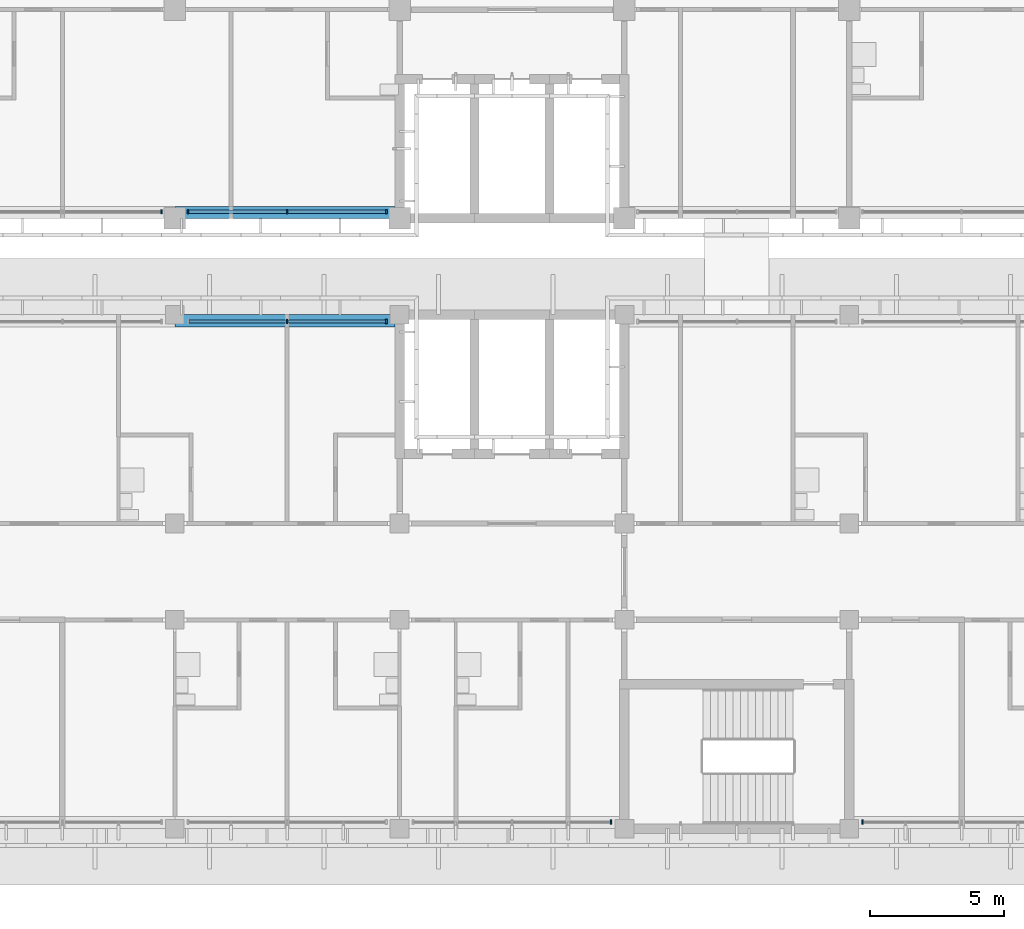
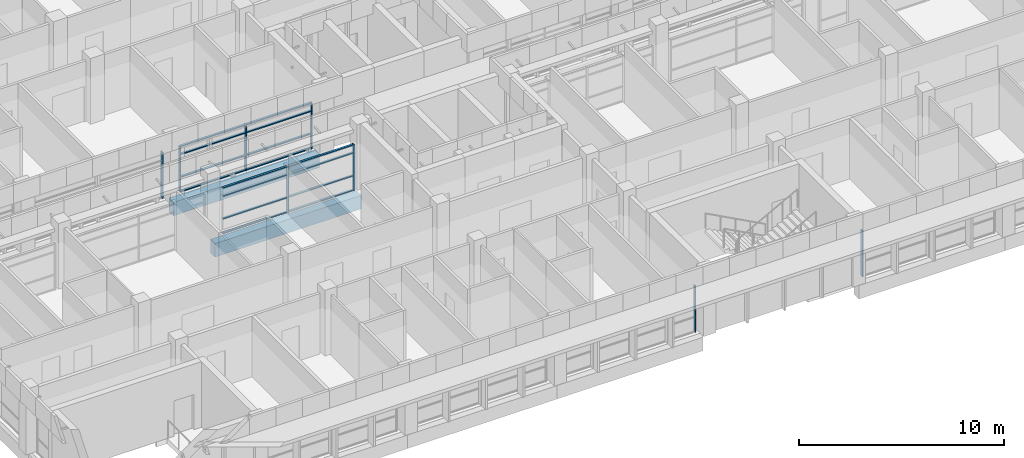
# One storey, part 5 of 71: 24 members, 2 beams, 5 elements without a shape of their own.
"""IFC4 building model written with IfcOpenShell, lengths in metres."""

from ifc_helpers import new_model, si_unit, direction, frame, origin, origin_2d, place, context, subcontext, project, spatial, rectangle, extrude, material, material_profile, profile_set, type_object, element, aggregate, save


model = new_model("IFC4")

# Units and contexts
model_context = context("Model", 3, precision=1e-05, world=origin(), true_north=direction((0.0, 1.0)))
body_context = subcontext(model_context, "Body", "Model", "MODEL_VIEW")
ifc_project = project(units=[si_unit("LENGTHUNIT", "METRE"), si_unit("AREAUNIT", "SQUARE_METRE"), si_unit("VOLUMEUNIT", "CUBIC_METRE"), si_unit("PLANEANGLEUNIT", "RADIAN"), si_unit("MASSUNIT", "GRAM", prefix="KILO")], contexts=[model_context])

# Site, building, storey
site_placement = place(None, origin())
site = spatial("IfcSite", under=ifc_project, at=site_placement, CompositionType="ELEMENT")
building_placement = place(site_placement, origin())
building = spatial("IfcBuilding", under=site, at=building_placement, Name="Bougainvillea Quay General Hospital", CompositionType="ELEMENT")
storey_placement = place(building_placement, frame((0.0, 0.0, 24.89990234375)))
storey = spatial("IfcBuildingStorey", under=building, at=storey_placement, Name="L05", CompositionType="ELEMENT", Elevation=24.89990234375)

# Curtain wall, member
ifc_material_1 = material(Name="Aluminium curtain wall system, powder-coated glazed", Category="aluminium")
curtain_wall_type = type_object("IfcCurtainWallType", Name="Unitised curtain wall CW-3730", PredefinedType="NOTDEFINED", material=ifc_material_1)
curtain_wall_1_placement = place(storey_placement, origin())
curtain_wall_1 = element("IfcCurtainWall", 1, at=curtain_wall_1_placement, inside=storey, type_object=curtain_wall_type, Name="CW-4200 01", PredefinedType="NOTDEFINED")
ifc_material_2 = material(Name="Aluminium mullion, powder-coated charcoal", Category="aluminium")
ifc_material_profile_1 = material_profile(ifc_material_2, rectangle(XDim=0.159912109375, YDim=0.06005859375, at=origin_2d()))
ifc_profile_set_1 = profile_set([ifc_material_profile_1], Name="Aluminium mullion, powder-coated charcoal")
member_type_1 = type_object("IfcMemberType", Name="Curtain wall mullion 160x60", PredefinedType="MULLION", material=ifc_profile_set_1)
member_1_placement = place(storey_placement, frame((58.300048828125, 140.64990234375, 0.0), z_axis=(0.0, 0.0, 1.0), x_axis=(0.0, 1.0, 0.0)))
member_1 = element("IfcMember", 2, at=member_1_placement, type_object=member_type_1, Name="CW-4200 mullion 3", PredefinedType="MULLION", context=body_context, shape_type="SweptSolid", body=[
    extrude(rectangle(XDim=0.159912109375, YDim=0.06005859375, at=origin_2d()), origin(), (0.0, 0.0, 1.0), 2.75),
])
aggregate(curtain_wall_1, [member_1])

# Curtain wall, members
curtain_wall_2_placement = place(storey_placement, origin())
curtain_wall_2 = element("IfcCurtainWall", 3, at=curtain_wall_2_placement, inside=storey, type_object=curtain_wall_type, Name="CW-4200 02", PredefinedType="NOTDEFINED")
member_2_placement = place(storey_placement, frame((59.300048828125, 140.64990234375, 0.0), z_axis=(0.0, 0.0, 1.0), x_axis=(0.0, 1.0, 0.0)))
member_2 = element("IfcMember", 4, at=member_2_placement, type_object=member_type_1, Name="CW-4200 mullion 1", PredefinedType="MULLION", context=body_context, shape_type="SweptSolid", body=[
    extrude(rectangle(XDim=0.159912109375, YDim=0.06005859375, at=origin_2d()), origin(), (0.0, 0.0, 1.0), 2.75),
])
member_3_placement = place(storey_placement, frame((63.0, 140.64990234375, 0.0), z_axis=(0.0, 0.0, 1.0), x_axis=(0.0, 1.0, 0.0)))
member_3 = element("IfcMember", 5, at=member_3_placement, type_object=member_type_1, Name="CW-4200 mullion 2", PredefinedType="MULLION", context=body_context, shape_type="SweptSolid", body=[
    extrude(rectangle(XDim=0.159912109375, YDim=0.06005859375, at=origin_2d()), origin(), (0.0, 0.0, 1.0), 2.75),
])
member_4_placement = place(storey_placement, frame((66.699951171875, 140.64990234375, 0.0), z_axis=(0.0, 0.0, 1.0), x_axis=(0.0, 1.0, 0.0)))
member_4 = element("IfcMember", 6, at=member_4_placement, type_object=member_type_1, Name="CW-4200 mullion 3", PredefinedType="MULLION", context=body_context, shape_type="SweptSolid", body=[
    extrude(rectangle(XDim=0.159912109375, YDim=0.06005859375, at=origin_2d()), origin(), (0.0, 0.0, 1.0), 2.75),
])

# Curtain wall, member
curtain_wall_3_placement = place(storey_placement, origin())
curtain_wall_3 = element("IfcCurtainWall", 7, at=curtain_wall_3_placement, inside=storey, type_object=curtain_wall_type, Name="CW-4200 02", PredefinedType="NOTDEFINED")
member_5_placement = place(storey_placement, frame((75.10009765625, 117.85009765625, 0.0), z_axis=(0.0, 0.0, 1.0), x_axis=(0.0, 1.0, 0.0)))
member_5 = element("IfcMember", 8, at=member_5_placement, type_object=member_type_1, Name="CW-4200 mullion 3", PredefinedType="MULLION", context=body_context, shape_type="SweptSolid", body=[
    extrude(rectangle(XDim=0.159912109375, YDim=0.06005859375, at=origin_2d()), origin(), (0.0, 0.0, 1.0), 2.75),
])
aggregate(curtain_wall_3, [member_5])

curtain_wall_4_placement = place(storey_placement, origin())
curtain_wall_4 = element("IfcCurtainWall", 9, at=curtain_wall_4_placement, inside=storey, type_object=curtain_wall_type, Name="CW-4200 03", PredefinedType="NOTDEFINED")
member_6_placement = place(storey_placement, frame((84.5, 117.85009765625, 0.0), z_axis=(0.0, 0.0, 1.0), x_axis=(0.0, 1.0, 0.0)))
member_6 = element("IfcMember", 10, at=member_6_placement, type_object=member_type_1, Name="CW-4200 mullion 1", PredefinedType="MULLION", context=body_context, shape_type="SweptSolid", body=[
    extrude(rectangle(XDim=0.159912109375, YDim=0.06005859375, at=origin_2d()), origin(), (0.0, 0.0, 1.0), 2.75),
])
aggregate(curtain_wall_4, [member_6])

# Curtain wall, members
curtain_wall_5_placement = place(storey_placement, origin())
curtain_wall_5 = element("IfcCurtainWall", 11, at=curtain_wall_5_placement, inside=storey, type_object=curtain_wall_type, Name="CW-4200 00", PredefinedType="NOTDEFINED")
member_7_placement = place(storey_placement, frame((66.699951171875, 136.550048828125, 0.0), z_axis=(0.0, 0.0, 1.0), x_axis=(0.0, -1.0, 0.0)))
member_7 = element("IfcMember", 12, at=member_7_placement, type_object=member_type_1, Name="CW-4200 mullion 1", PredefinedType="MULLION", context=body_context, shape_type="SweptSolid", body=[
    extrude(rectangle(XDim=0.159912109375, YDim=0.06005859375, at=origin_2d()), origin(), (0.0, 0.0, 1.0), 2.75),
])
member_8_placement = place(storey_placement, frame((63.0, 136.550048828125, 0.0), z_axis=(0.0, 0.0, 1.0), x_axis=(0.0, -1.0, 0.0)))
member_8 = element("IfcMember", 13, at=member_8_placement, type_object=member_type_1, Name="CW-4200 mullion 2", PredefinedType="MULLION", context=body_context, shape_type="SweptSolid", body=[
    extrude(rectangle(XDim=0.159912109375, YDim=0.06005859375, at=origin_2d()), origin(), (0.0, 0.0, 1.0), 2.75),
])

# Member
ifc_material_3 = material(Name="Aluminium transom, powder-coated charcoal", Category="aluminium")
ifc_material_profile_2 = material_profile(ifc_material_3, rectangle(XDim=0.1201171875, YDim=0.06005859375, at=origin_2d()))
ifc_profile_set_2 = profile_set([ifc_material_profile_2], Name="Aluminium transom, powder-coated charcoal")
member_type_2 = type_object("IfcMemberType", Name="Curtain wall transom 120x60", PredefinedType="USERDEFINED", material=ifc_profile_set_2)
member_9_placement = place(storey_placement, frame((59.330078125, 140.64990234375, 0.030029296875), z_axis=(1.0, 0.0, 0.0), x_axis=(0.0, 1.0, 0.0)))
member_9 = element("IfcMember", 14, at=member_9_placement, type_object=member_type_2, Name="CW-4200 transom 1.1", ObjectType="TRANSOM", PredefinedType="USERDEFINED", context=body_context, shape_type="SweptSolid", body=[
    extrude(rectangle(XDim=0.1201171875, YDim=0.06005859375, at=origin_2d()), origin(), (0.0, 0.0, 1.0), 3.639892578125),
])

member_10_placement = place(storey_placement, frame((59.330078125, 140.64990234375, 0.900146484375), z_axis=(1.0, 0.0, 0.0), x_axis=(0.0, 1.0, 0.0)))
member_10 = element("IfcMember", 15, at=member_10_placement, type_object=member_type_2, Name="CW-4200 transom 1.2", ObjectType="TRANSOM", PredefinedType="USERDEFINED", context=body_context, shape_type="SweptSolid", body=[
    extrude(rectangle(XDim=0.1201171875, YDim=0.06005859375, at=origin_2d()), origin(), (0.0, 0.0, 1.0), 3.639892578125),
])

member_11_placement = place(storey_placement, frame((59.330078125, 140.64990234375, 2.25), z_axis=(1.0, 0.0, 0.0), x_axis=(0.0, 1.0, 0.0)))
member_11 = element("IfcMember", 16, at=member_11_placement, type_object=member_type_2, Name="CW-4200 transom 1.3", ObjectType="TRANSOM", PredefinedType="USERDEFINED", context=body_context, shape_type="SweptSolid", body=[
    extrude(rectangle(XDim=0.1201171875, YDim=0.06005859375, at=origin_2d()), origin(), (0.0, 0.0, 1.0), 3.639892578125),
])

member_12_placement = place(storey_placement, frame((59.330078125, 140.64990234375, 2.72021484375), z_axis=(1.0, 0.0, 0.0), x_axis=(0.0, 1.0, 0.0)))
member_12 = element("IfcMember", 17, at=member_12_placement, type_object=member_type_2, Name="CW-4200 transom 1.4", ObjectType="TRANSOM", PredefinedType="USERDEFINED", context=body_context, shape_type="SweptSolid", body=[
    extrude(rectangle(XDim=0.1201171875, YDim=0.06005859375, at=origin_2d()), origin(), (0.0, 0.0, 1.0), 3.639892578125),
])

member_13_placement = place(storey_placement, frame((63.030029296875, 140.64990234375, 0.030029296875), z_axis=(1.0, 0.0, 0.0), x_axis=(0.0, 1.0, 0.0)))
member_13 = element("IfcMember", 18, at=member_13_placement, type_object=member_type_2, Name="CW-4200 transom 2.1", ObjectType="TRANSOM", PredefinedType="USERDEFINED", context=body_context, shape_type="SweptSolid", body=[
    extrude(rectangle(XDim=0.1201171875, YDim=0.06005859375, at=origin_2d()), origin(), (0.0, 0.0, 1.0), 3.639892578125),
])

member_14_placement = place(storey_placement, frame((63.030029296875, 140.64990234375, 0.900146484375), z_axis=(1.0, 0.0, 0.0), x_axis=(0.0, 1.0, 0.0)))
member_14 = element("IfcMember", 19, at=member_14_placement, type_object=member_type_2, Name="CW-4200 transom 2.2", ObjectType="TRANSOM", PredefinedType="USERDEFINED", context=body_context, shape_type="SweptSolid", body=[
    extrude(rectangle(XDim=0.1201171875, YDim=0.06005859375, at=origin_2d()), origin(), (0.0, 0.0, 1.0), 3.639892578125),
])

member_15_placement = place(storey_placement, frame((63.030029296875, 140.64990234375, 2.25), z_axis=(1.0, 0.0, 0.0), x_axis=(0.0, 1.0, 0.0)))
member_15 = element("IfcMember", 20, at=member_15_placement, type_object=member_type_2, Name="CW-4200 transom 2.3", ObjectType="TRANSOM", PredefinedType="USERDEFINED", context=body_context, shape_type="SweptSolid", body=[
    extrude(rectangle(XDim=0.1201171875, YDim=0.06005859375, at=origin_2d()), origin(), (0.0, 0.0, 1.0), 3.639892578125),
])

member_16_placement = place(storey_placement, frame((63.030029296875, 140.64990234375, 2.72021484375), z_axis=(1.0, 0.0, 0.0), x_axis=(0.0, 1.0, 0.0)))
member_16 = element("IfcMember", 21, at=member_16_placement, type_object=member_type_2, Name="CW-4200 transom 2.4", ObjectType="TRANSOM", PredefinedType="USERDEFINED", context=body_context, shape_type="SweptSolid", body=[
    extrude(rectangle(XDim=0.1201171875, YDim=0.06005859375, at=origin_2d()), origin(), (0.0, 0.0, 1.0), 3.639892578125),
])

aggregate(curtain_wall_2, [member_2, member_3, member_4, member_9, member_10, member_11, member_12, member_13, member_14, member_15, member_16])

member_17_placement = place(storey_placement, frame((66.669921875, 136.550048828125, 0.030029296875), z_axis=(-1.0, 0.0, 0.0), x_axis=(0.0, -1.0, 0.0)))
member_17 = element("IfcMember", 22, at=member_17_placement, type_object=member_type_2, Name="CW-4200 transom 1.1", ObjectType="TRANSOM", PredefinedType="USERDEFINED", context=body_context, shape_type="SweptSolid", body=[
    extrude(rectangle(XDim=0.1201171875, YDim=0.06005859375, at=origin_2d()), origin(), (0.0, 0.0, 1.0), 3.639892578125),
])

member_18_placement = place(storey_placement, frame((66.669921875, 136.550048828125, 0.900146484375), z_axis=(-1.0, 0.0, 0.0), x_axis=(0.0, -1.0, 0.0)))
member_18 = element("IfcMember", 23, at=member_18_placement, type_object=member_type_2, Name="CW-4200 transom 1.2", ObjectType="TRANSOM", PredefinedType="USERDEFINED", context=body_context, shape_type="SweptSolid", body=[
    extrude(rectangle(XDim=0.1201171875, YDim=0.06005859375, at=origin_2d()), origin(), (0.0, 0.0, 1.0), 3.639892578125),
])

member_19_placement = place(storey_placement, frame((66.669921875, 136.550048828125, 2.25), z_axis=(-1.0, 0.0, 0.0), x_axis=(0.0, -1.0, 0.0)))
member_19 = element("IfcMember", 24, at=member_19_placement, type_object=member_type_2, Name="CW-4200 transom 1.3", ObjectType="TRANSOM", PredefinedType="USERDEFINED", context=body_context, shape_type="SweptSolid", body=[
    extrude(rectangle(XDim=0.1201171875, YDim=0.06005859375, at=origin_2d()), origin(), (0.0, 0.0, 1.0), 3.639892578125),
])

member_20_placement = place(storey_placement, frame((66.669921875, 136.550048828125, 2.72021484375), z_axis=(-1.0, 0.0, 0.0), x_axis=(0.0, -1.0, 0.0)))
member_20 = element("IfcMember", 25, at=member_20_placement, type_object=member_type_2, Name="CW-4200 transom 1.4", ObjectType="TRANSOM", PredefinedType="USERDEFINED", context=body_context, shape_type="SweptSolid", body=[
    extrude(rectangle(XDim=0.1201171875, YDim=0.06005859375, at=origin_2d()), origin(), (0.0, 0.0, 1.0), 3.639892578125),
])

member_21_placement = place(storey_placement, frame((62.969970703125, 136.550048828125, 0.030029296875), z_axis=(-1.0, 0.0, 0.0), x_axis=(0.0, -1.0, 0.0)))
member_21 = element("IfcMember", 26, at=member_21_placement, type_object=member_type_2, Name="CW-4200 transom 2.1", ObjectType="TRANSOM", PredefinedType="USERDEFINED", context=body_context, shape_type="SweptSolid", body=[
    extrude(rectangle(XDim=0.1201171875, YDim=0.06005859375, at=origin_2d()), origin(), (0.0, 0.0, 1.0), 3.639892578125),
])

member_22_placement = place(storey_placement, frame((62.969970703125, 136.550048828125, 0.900146484375), z_axis=(-1.0, 0.0, 0.0), x_axis=(0.0, -1.0, 0.0)))
member_22 = element("IfcMember", 27, at=member_22_placement, type_object=member_type_2, Name="CW-4200 transom 2.2", ObjectType="TRANSOM", PredefinedType="USERDEFINED", context=body_context, shape_type="SweptSolid", body=[
    extrude(rectangle(XDim=0.1201171875, YDim=0.06005859375, at=origin_2d()), origin(), (0.0, 0.0, 1.0), 3.639892578125),
])

member_23_placement = place(storey_placement, frame((62.969970703125, 136.550048828125, 2.25), z_axis=(-1.0, 0.0, 0.0), x_axis=(0.0, -1.0, 0.0)))
member_23 = element("IfcMember", 28, at=member_23_placement, type_object=member_type_2, Name="CW-4200 transom 2.3", ObjectType="TRANSOM", PredefinedType="USERDEFINED", context=body_context, shape_type="SweptSolid", body=[
    extrude(rectangle(XDim=0.1201171875, YDim=0.06005859375, at=origin_2d()), origin(), (0.0, 0.0, 1.0), 3.639892578125),
])

member_24_placement = place(storey_placement, frame((62.969970703125, 136.550048828125, 2.72021484375), z_axis=(-1.0, 0.0, 0.0), x_axis=(0.0, -1.0, 0.0)))
member_24 = element("IfcMember", 29, at=member_24_placement, type_object=member_type_2, Name="CW-4200 transom 2.4", ObjectType="TRANSOM", PredefinedType="USERDEFINED", context=body_context, shape_type="SweptSolid", body=[
    extrude(rectangle(XDim=0.1201171875, YDim=0.06005859375, at=origin_2d()), origin(), (0.0, 0.0, 1.0), 3.639892578125),
])

aggregate(curtain_wall_5, [member_7, member_8, member_17, member_18, member_19, member_20, member_21, member_22, member_23, member_24])

# Beams
ifc_material_4 = material(Name="Concrete C40", Category="concrete")
ifc_material_profile_3 = material_profile(ifc_material_4, rectangle(XDim=0.449951171875, YDim=0.800048828125, at=origin_2d()))
ifc_profile_set_3 = profile_set([ifc_material_profile_3], Name="Concrete C40")
beam_type = type_object("IfcBeamType", Name="RC BEAM 450x800 C40", PredefinedType="BEAM", material=ifc_profile_set_3)
for number, where, z_axis, x_axis, name in (
    (30, (58.800048828125, 140.625, -0.699951171875), (1.0, 0.0, 0.0), (0.0, 1.0, 0.0), "Edge beam L05"),
    (31, (67.02490234375, 136.574951171875, -0.699951171875), (-1.0, 0.0, 0.0), (0.0, -1.0, 0.0), "Edge beam L05"),
):
    element("IfcBeam", number, at=place(storey_placement, frame(where, z_axis=z_axis, x_axis=x_axis)), inside=storey, type_object=beam_type, Name=name, PredefinedType="BEAM", context=body_context, shape_type="SweptSolid", body=[
        extrude(rectangle(XDim=0.449951171875, YDim=0.800048828125, at=origin_2d()), origin(), (0.0, 0.0, 1.0), 8.224853515625),
    ])

save(model, "model.ifc")
